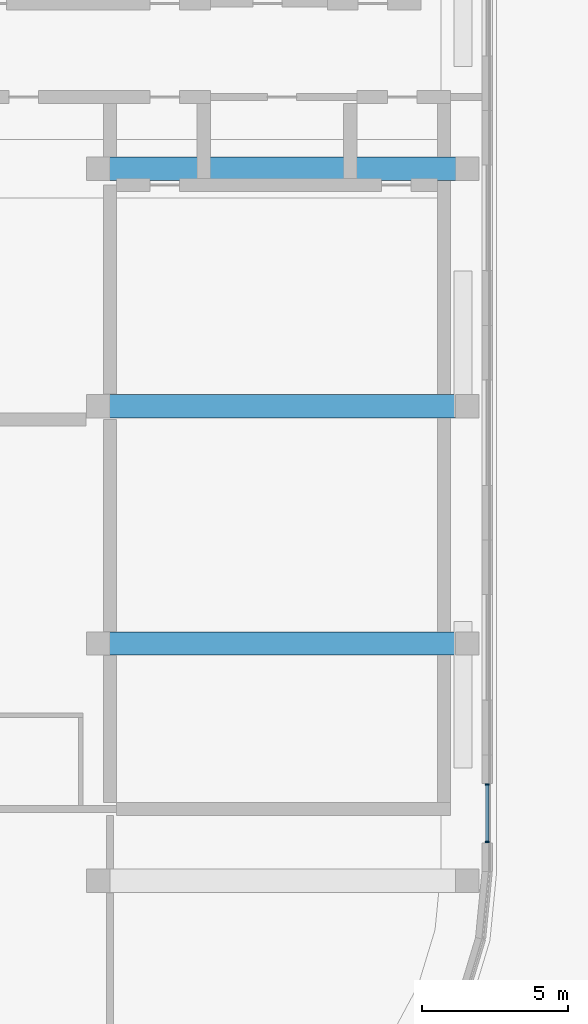
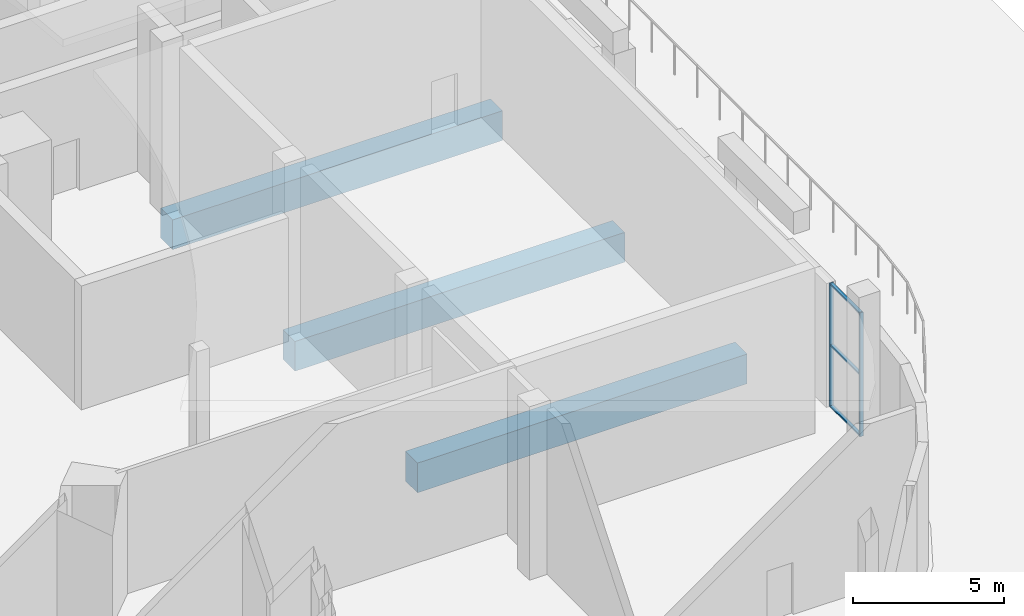
# One storey, part 2 of 17: 5 members, 3 beams, 1 element without a shape of its own.
"""IFC4 building model written with IfcOpenShell, lengths in metres."""

from ifc_helpers import new_model, si_unit, direction, frame, origin, origin_2d, place, context, subcontext, project, spatial, rectangle, extrude, material, material_profile, profile_set, type_object, element, aggregate, save


model = new_model("IFC4")

# Units and contexts
model_context = context("Model", 3, precision=1e-05, world=origin(), true_north=direction((0.0, 1.0)))
body_context = subcontext(model_context, "Body", "Model", "MODEL_VIEW")
ifc_project = project(units=[si_unit("LENGTHUNIT", "METRE"), si_unit("AREAUNIT", "SQUARE_METRE"), si_unit("VOLUMEUNIT", "CUBIC_METRE"), si_unit("PLANEANGLEUNIT", "RADIAN"), si_unit("MASSUNIT", "GRAM", prefix="KILO")], contexts=[model_context])

# Site, building, storey
site_placement = place(None, origin())
site = spatial("IfcSite", under=ifc_project, at=site_placement, CompositionType="ELEMENT")
building_placement = place(site_placement, origin())
building = spatial("IfcBuilding", under=site, at=building_placement, Name="Torre Triforio", CompositionType="ELEMENT")
storey_placement = place(building_placement, frame((0.0, 0.0, 13.0)))
storey = spatial("IfcBuildingStorey", under=building, at=storey_placement, Name="L02", CompositionType="ELEMENT", Elevation=13.0)

# Curtain wall, members
ifc_material_1 = material(Name="Aluminium mullion and transom frame with clear laminated glass", Category="aluminium")
curtain_wall_type = type_object("IfcCurtainWallType", Name="Terrace lounge curtain wall ECW5", PredefinedType="NOTDEFINED", material=ifc_material_1)
curtain_wall_placement = place(storey_placement, origin())
curtain_wall = element("IfcCurtainWall", 1, at=curtain_wall_placement, inside=storey, type_object=curtain_wall_type, Name="Terrace lounge curtain wall L02 09.1.1.1", PredefinedType="NOTDEFINED")
ifc_material_2 = material(Name="Anodised aluminium extrusion", Category="aluminium")
ifc_material_profile_1 = material_profile(ifc_material_2, rectangle(XDim=0.139892578125, YDim=0.054931640625, at=origin_2d()), Name="ECW5 MULLION 55x140")
ifc_profile_set_1 = profile_set([ifc_material_profile_1], Name="Anodised aluminium extrusion")
member_type_1 = type_object("IfcMemberType", Name="ECW5 mullion 55 x 140", PredefinedType="MULLION", material=ifc_profile_set_1)
member_1_placement = place(storey_placement, frame((45.675048828125, -22.97705078125, 0.0), z_axis=(0.0, 0.0, 1.0), x_axis=(-1.0, 0.0, 0.0)))
member_1 = element("IfcMember", 2, at=member_1_placement, type_object=member_type_1, Name="ECW5 mullion 1", PredefinedType="MULLION", context=body_context, shape_type="SweptSolid", body=[
    extrude(rectangle(XDim=0.139892578125, YDim=0.054931640625, at=origin_2d()), origin(), (0.0, 0.0, 1.0), 5.0),
])
member_2_placement = place(storey_placement, frame((45.675048828125, -21.007080078125, 0.0), z_axis=(0.0, 0.0, 1.0), x_axis=(-1.0, 0.0, 0.0)))
member_2 = element("IfcMember", 3, at=member_2_placement, type_object=member_type_1, Name="ECW5 mullion 2", PredefinedType="MULLION", context=body_context, shape_type="SweptSolid", body=[
    extrude(rectangle(XDim=0.139892578125, YDim=0.054931640625, at=origin_2d()), origin(), (0.0, 0.0, 1.0), 5.0),
])
ifc_material_profile_2 = material_profile(ifc_material_2, rectangle(XDim=0.1201171875, YDim=0.06005859375, at=origin_2d()), Name="ECW5 TRANSOM 60x120")
ifc_profile_set_2 = profile_set([ifc_material_profile_2], Name="Anodised aluminium extrusion")
member_type_2 = type_object("IfcMemberType", Name="ECW5 transom 60 x 120", PredefinedType="USERDEFINED", material=ifc_profile_set_2)
member_3_placement = place(storey_placement, frame((45.675048828125, -22.949462890625, 0.030029296875), z_axis=(0.0, 1.0, 0.0), x_axis=(-1.0, 0.0, 0.0)))
member_3 = element("IfcMember", 4, at=member_3_placement, type_object=member_type_2, Name="ECW5 transom 1.1", ObjectType="TRANSOM", PredefinedType="USERDEFINED", context=body_context, shape_type="SweptSolid", body=[
    extrude(rectangle(XDim=0.1201171875, YDim=0.06005859375, at=origin_2d()), origin(), (0.0, 0.0, 1.0), 1.9150390625),
])
member_4_placement = place(storey_placement, frame((45.675048828125, -22.949462890625, 2.5), z_axis=(0.0, 1.0, 0.0), x_axis=(-1.0, 0.0, 0.0)))
member_4 = element("IfcMember", 5, at=member_4_placement, type_object=member_type_2, Name="ECW5 transom 1.2", ObjectType="TRANSOM", PredefinedType="USERDEFINED", context=body_context, shape_type="SweptSolid", body=[
    extrude(rectangle(XDim=0.1201171875, YDim=0.06005859375, at=origin_2d()), origin(), (0.0, 0.0, 1.0), 1.9150390625),
])
member_5_placement = place(storey_placement, frame((45.675048828125, -22.949462890625, 4.969970703125), z_axis=(0.0, 1.0, 0.0), x_axis=(-1.0, 0.0, 0.0)))
member_5 = element("IfcMember", 6, at=member_5_placement, type_object=member_type_2, Name="ECW5 transom 1.3", ObjectType="TRANSOM", PredefinedType="USERDEFINED", context=body_context, shape_type="SweptSolid", body=[
    extrude(rectangle(XDim=0.1201171875, YDim=0.06005859375, at=origin_2d()), origin(), (0.0, 0.0, 1.0), 1.9150390625),
])
aggregate(curtain_wall, [member_1, member_2, member_3, member_4, member_5])

# Beams
ifc_material_3 = material(Name="Concrete C50", Category="concrete")
ifc_material_profile_3 = material_profile(ifc_material_3, rectangle(XDim=0.800048828125, YDim=1.199951171875, at=origin_2d()), Name="RC 800x1200")
ifc_profile_set_3 = profile_set([ifc_material_profile_3], Name="Concrete C50")
beam_type = type_object("IfcBeamType", Name="Studio floor girder RC 800x1200 C50", PredefinedType="BEAM", material=ifc_profile_set_3)
for number, where, z_axis, x_axis, name in (
    (7, (32.39990234375, -16.199951171875, -0.919921875), (1.0, 0.0, 0.0), (0.0, 1.0, 0.0), "BM.SG.L02.02"),
    (8, (32.39990234375, -8.10009765625, -0.919921875), (1.0, 0.0, 0.0), (0.0, 1.0, 0.0), "BM.SG.L02.03"),
    (9, (32.39990234375, 0.0, -0.919921875), (1.0, 0.0, 0.0), (0.0, 1.0, 0.0), "BM.SG.L02.04"),
):
    element("IfcBeam", number, at=place(storey_placement, frame(where, z_axis=z_axis, x_axis=x_axis)), inside=storey, type_object=beam_type, Name=name, PredefinedType="BEAM", context=body_context, shape_type="SweptSolid", body=[
        extrude(rectangle(XDim=0.800048828125, YDim=1.199951171875, at=origin_2d()), origin(), (0.0, 0.0, 1.0), 12.60009765625),
    ])

save(model, "model.ifc")
